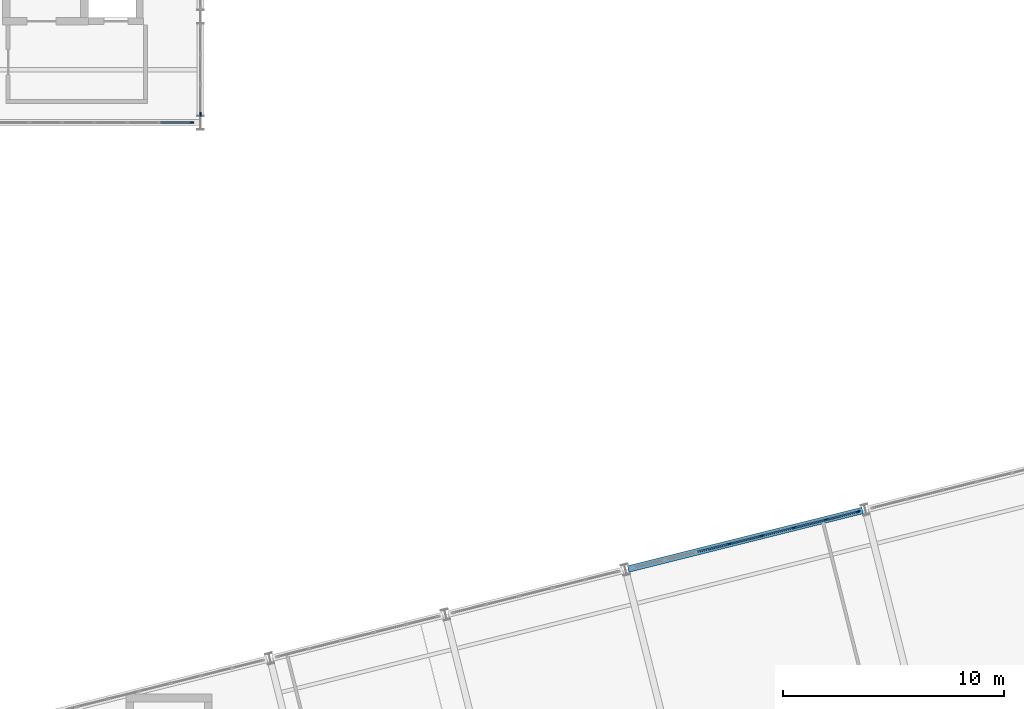
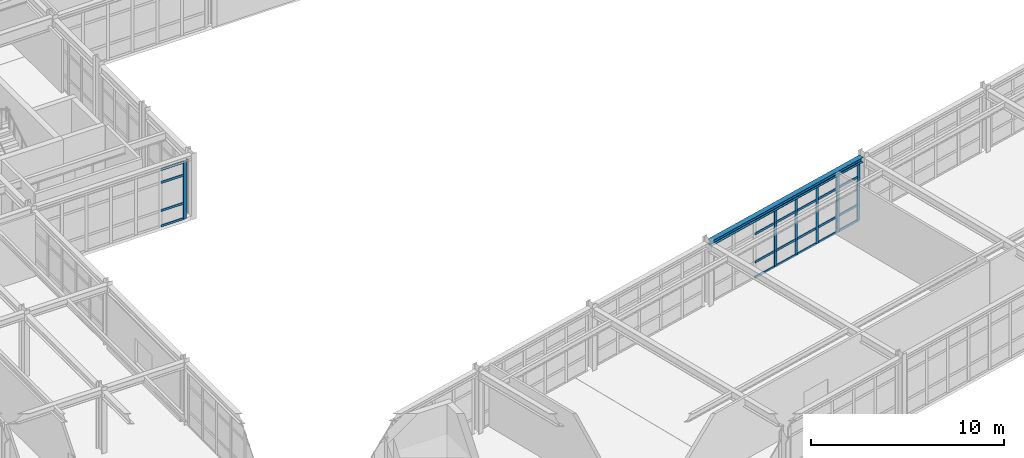
# One storey, part 40 of 99: 31 members, 1 beam, 3 elements without a shape of their own.
"""IFC4 building model written with IfcOpenShell, lengths in metres."""

from ifc_helpers import new_model, si_unit, direction, frame, origin, origin_2d, place, context, subcontext, project, spatial, rectangle, i_section, extrude, material, layer, layer_set, material_profile, profile_set, type_object, element, aggregate, save


model = new_model("IFC4")

# Units and contexts
model_context = context("Model", 3, precision=1e-05, world=origin(), true_north=direction((0.0, 1.0)))
body_context = subcontext(model_context, "Body", "Model", "MODEL_VIEW")
ifc_project = project(units=[si_unit("LENGTHUNIT", "METRE"), si_unit("AREAUNIT", "SQUARE_METRE"), si_unit("VOLUMEUNIT", "CUBIC_METRE"), si_unit("PLANEANGLEUNIT", "RADIAN"), si_unit("MASSUNIT", "GRAM", prefix="KILO")], contexts=[model_context])

# Site, building, storey
site_placement = place(None, origin())
site = spatial("IfcSite", under=ifc_project, at=site_placement, CompositionType="ELEMENT")
building_placement = place(site_placement, origin())
building = spatial("IfcBuilding", under=site, at=building_placement, Name="Nordkorset Police Headquarters", CompositionType="ELEMENT")
storey_placement = place(building_placement, frame((0.0, 0.0, 5.25)))
storey = spatial("IfcBuildingStorey", under=building, at=storey_placement, Name="L01", CompositionType="ELEMENT", Elevation=5.25)

# Curtain wall, member
ifc_material_1 = material(Name="Aluminium alloy AW-6060", Category="aluminium")
ifc_layer_1 = layer(ifc_material_1, 0.179931640625, Name="Aluminium alloy AW-6060")
ifc_layer_set_1 = layer_set([ifc_layer_1], Name="Aluminium alloy AW-6060")
curtain_wall_type_1 = type_object("IfcCurtainWallType", Name="CW_Unit_408x340", PredefinedType="USERDEFINED", material=ifc_layer_set_1)
curtain_wall_1_placement = place(storey_placement, origin())
curtain_wall_1 = element("IfcCurtainWall", 1, at=curtain_wall_1_placement, inside=storey, type_object=curtain_wall_type_1, Name="Unitised Curtain Wall L01 V1E-0", ObjectType="UNITISED CURTAIN WALL", PredefinedType="USERDEFINED")
ifc_material_2 = material(Name="Aluminium alloy AW-6060", Category="aluminium")
ifc_material_profile_1 = material_profile(ifc_material_2, rectangle(XDim=0.06494140625, YDim=0.179931640625, at=origin_2d()), Name="ALU MULL 65x180")
ifc_profile_set_1 = profile_set([ifc_material_profile_1], Name="Aluminium alloy AW-6060")
member_type_1 = type_object("IfcMemberType", Name="CW_Mullion_65x180", PredefinedType="MULLION", material=ifc_profile_set_1)
member_1_placement = place(storey_placement, frame((28.800048828125, 83.592529296875, 0.0), z_axis=(0.0, 0.0, 1.0), x_axis=(-1.0, 0.0, 0.0)))
member_1 = element("IfcMember", 2, at=member_1_placement, type_object=member_type_1, Name="CW-75 mullion 1", PredefinedType="MULLION", context=body_context, shape_type="SweptSolid", body=[
    extrude(rectangle(XDim=0.06494140625, YDim=0.179931640625, at=origin_2d()), origin(), (0.0, 0.0, 1.0), 3.39990234375),
])
aggregate(curtain_wall_1, [member_1])

ifc_material_3 = material(Name="Aluminium alloy AW-6060", Category="aluminium")
ifc_layer_2 = layer(ifc_material_3, 0.179931640625, Name="Aluminium alloy AW-6060")
ifc_layer_set_2 = layer_set([ifc_layer_2], Name="Aluminium alloy AW-6060")
curtain_wall_type_2 = type_object("IfcCurtainWallType", Name="CW_Unit_888x363", PredefinedType="USERDEFINED", material=ifc_layer_set_2)
curtain_wall_2_placement = place(storey_placement, origin())
curtain_wall_2 = element("IfcCurtainWall", 3, at=curtain_wall_2_placement, inside=storey, type_object=curtain_wall_type_2, Name="Unitised Curtain Wall L01 V1S-2", ObjectType="UNITISED CURTAIN WALL", PredefinedType="USERDEFINED")
member_2_placement = place(storey_placement, frame((28.407470703125, 83.199951171875, 0.0), z_axis=(0.0, 0.0, 1.0), x_axis=(0.0, 1.0, 0.0)))
member_2 = element("IfcMember", 4, at=member_2_placement, type_object=member_type_1, Name="CW-07 mullion 7", PredefinedType="MULLION", context=body_context, shape_type="SweptSolid", body=[
    extrude(rectangle(XDim=0.06494140625, YDim=0.179931640625, at=origin_2d()), origin(), (0.0, 0.0, 1.0), 3.6298828125),
])

# Curtain wall, members
ifc_material_4 = material(Name="Aluminium alloy AW-6060", Category="aluminium")
ifc_layer_3 = layer(ifc_material_4, 0.179931640625, Name="Aluminium alloy AW-6060")
ifc_layer_set_3 = layer_set([ifc_layer_3], Name="Aluminium alloy AW-6060")
curtain_wall_type_3 = type_object("IfcCurtainWallType", Name="CW_Unit_1056x363", PredefinedType="USERDEFINED", material=ifc_layer_set_3)
curtain_wall_3_placement = place(storey_placement, origin())
curtain_wall_3 = element("IfcCurtainWall", 5, at=curtain_wall_3_placement, inside=storey, type_object=curtain_wall_type_3, Name="Unitised Curtain Wall L01 V4N-3", ObjectType="UNITISED CURTAIN WALL", PredefinedType="USERDEFINED")
member_3_placement = place(storey_placement, frame((52.74853515625, 64.13037109375, 0.0), z_axis=(0.0, 0.0, 1.0), x_axis=(-0.242536070676, 0.970142388735, 0.0)))
member_3 = element("IfcMember", 6, at=member_3_placement, type_object=member_type_1, Name="CW-96 mullion 4", PredefinedType="MULLION", context=body_context, shape_type="SweptSolid", body=[
    extrude(rectangle(XDim=0.06494140625, YDim=0.179931640625, at=origin_2d()), origin(), (0.0, 0.0, 1.0), 3.6298828125),
])
member_4_placement = place(storey_placement, frame((54.212158203125, 64.496337890625, 0.0), z_axis=(0.0, 0.0, 1.0), x_axis=(-0.242536070676, 0.970142388735, 0.0)))
member_4 = element("IfcMember", 7, at=member_4_placement, type_object=member_type_1, Name="CW-96 mullion 5", PredefinedType="MULLION", context=body_context, shape_type="SweptSolid", body=[
    extrude(rectangle(XDim=0.06494140625, YDim=0.179931640625, at=origin_2d()), origin(), (0.0, 0.0, 1.0), 3.6298828125),
])
member_5_placement = place(storey_placement, frame((55.67578125, 64.862060546875, 0.0), z_axis=(0.0, 0.0, 1.0), x_axis=(-0.242536070676, 0.970142388735, 0.0)))
member_5 = element("IfcMember", 8, at=member_5_placement, type_object=member_type_1, Name="CW-96 mullion 6", PredefinedType="MULLION", context=body_context, shape_type="SweptSolid", body=[
    extrude(rectangle(XDim=0.06494140625, YDim=0.179931640625, at=origin_2d()), origin(), (0.0, 0.0, 1.0), 3.6298828125),
])
member_6_placement = place(storey_placement, frame((57.13916015625, 65.22802734375, 0.0), z_axis=(0.0, 0.0, 1.0), x_axis=(-0.242536070676, 0.970142388735, 0.0)))
member_6 = element("IfcMember", 9, at=member_6_placement, type_object=member_type_1, Name="CW-96 mullion 7", PredefinedType="MULLION", context=body_context, shape_type="SweptSolid", body=[
    extrude(rectangle(XDim=0.06494140625, YDim=0.179931640625, at=origin_2d()), origin(), (0.0, 0.0, 1.0), 3.6298828125),
])
member_7_placement = place(storey_placement, frame((58.5712890625, 65.5859375, 0.0), z_axis=(0.0, 0.0, 1.0), x_axis=(-0.242536070676, 0.970142388735, 0.0)))
member_7 = element("IfcMember", 10, at=member_7_placement, type_object=member_type_1, Name="CW-96 mullion 8", PredefinedType="MULLION", context=body_context, shape_type="SweptSolid", body=[
    extrude(rectangle(XDim=0.06494140625, YDim=0.179931640625, at=origin_2d()), origin(), (0.0, 0.0, 1.0), 3.6298828125),
])

# Member
ifc_material_5 = material(Name="Aluminium alloy AW-6060", Category="aluminium")
ifc_material_profile_2 = material_profile(ifc_material_5, rectangle(XDim=0.06494140625, YDim=0.139892578125, at=origin_2d()), Name="ALU TRAN 65x140")
ifc_profile_set_2 = profile_set([ifc_material_profile_2], Name="Aluminium alloy AW-6060")
member_type_2 = type_object("IfcMemberType", Name="CW_Transom_65x140", PredefinedType="USERDEFINED", material=ifc_profile_set_2)
member_8_placement = place(storey_placement, frame((26.992431640625, 83.199951171875, 0.032470703125), z_axis=(1.0, 0.0, 0.0), x_axis=(0.0, 1.0, 0.0)))
member_8 = element("IfcMember", 11, at=member_8_placement, type_object=member_type_2, Name="CW-07 transom 6.1", ObjectType="TRANSOM", PredefinedType="USERDEFINED", context=body_context, shape_type="SweptSolid", body=[
    extrude(rectangle(XDim=0.06494140625, YDim=0.139892578125, at=origin_2d()), origin(), (0.0, 0.0, 1.0), 1.382568359375),
])

member_9_placement = place(storey_placement, frame((26.992431640625, 83.199951171875, 1.0), z_axis=(1.0, 0.0, 0.0), x_axis=(0.0, 1.0, 0.0)))
member_9 = element("IfcMember", 12, at=member_9_placement, type_object=member_type_2, Name="CW-07 transom 6.2", ObjectType="TRANSOM", PredefinedType="USERDEFINED", context=body_context, shape_type="SweptSolid", body=[
    extrude(rectangle(XDim=0.06494140625, YDim=0.139892578125, at=origin_2d()), origin(), (0.0, 0.0, 1.0), 1.382568359375),
])

member_10_placement = place(storey_placement, frame((26.992431640625, 83.199951171875, 2.780029296875), z_axis=(1.0, 0.0, 0.0), x_axis=(0.0, 1.0, 0.0)))
member_10 = element("IfcMember", 13, at=member_10_placement, type_object=member_type_2, Name="CW-07 transom 6.3", ObjectType="TRANSOM", PredefinedType="USERDEFINED", context=body_context, shape_type="SweptSolid", body=[
    extrude(rectangle(XDim=0.06494140625, YDim=0.139892578125, at=origin_2d()), origin(), (0.0, 0.0, 1.0), 1.382568359375),
])

member_11_placement = place(storey_placement, frame((26.992431640625, 83.199951171875, 3.597412109375), z_axis=(1.0, 0.0, 0.0), x_axis=(0.0, 1.0, 0.0)))
member_11 = element("IfcMember", 14, at=member_11_placement, type_object=member_type_2, Name="CW-07 transom 6.4", ObjectType="TRANSOM", PredefinedType="USERDEFINED", context=body_context, shape_type="SweptSolid", body=[
    extrude(rectangle(XDim=0.06494140625, YDim=0.139892578125, at=origin_2d()), origin(), (0.0, 0.0, 1.0), 1.382568359375),
])

aggregate(curtain_wall_2, [member_2, member_8, member_9, member_10, member_11])

member_12_placement = place(storey_placement, frame((51.316650390625, 63.772216796875, 0.032470703125), z_axis=(0.9701026929, 0.24269479852, 0.0), x_axis=(-0.24269479852, 0.9701026929, 0.0)))
member_12 = element("IfcMember", 15, at=member_12_placement, type_object=member_type_2, Name="CW-96 transom 3.1", ObjectType="TRANSOM", PredefinedType="USERDEFINED", context=body_context, shape_type="SweptSolid", body=[
    extrude(rectangle(XDim=0.06494140625, YDim=0.139892578125, at=origin_2d()), origin(), (0.0, 0.0, 1.0), 1.443603515625),
])

member_13_placement = place(storey_placement, frame((51.316650390625, 63.772216796875, 1.0), z_axis=(0.9701026929, 0.24269479852, 0.0), x_axis=(-0.24269479852, 0.9701026929, 0.0)))
member_13 = element("IfcMember", 16, at=member_13_placement, type_object=member_type_2, Name="CW-96 transom 3.2", ObjectType="TRANSOM", PredefinedType="USERDEFINED", context=body_context, shape_type="SweptSolid", body=[
    extrude(rectangle(XDim=0.06494140625, YDim=0.139892578125, at=origin_2d()), origin(), (0.0, 0.0, 1.0), 1.443603515625),
])

member_14_placement = place(storey_placement, frame((51.316650390625, 63.772216796875, 2.780029296875), z_axis=(0.9701026929, 0.24269479852, 0.0), x_axis=(-0.24269479852, 0.9701026929, 0.0)))
member_14 = element("IfcMember", 17, at=member_14_placement, type_object=member_type_2, Name="CW-96 transom 3.3", ObjectType="TRANSOM", PredefinedType="USERDEFINED", context=body_context, shape_type="SweptSolid", body=[
    extrude(rectangle(XDim=0.06494140625, YDim=0.139892578125, at=origin_2d()), origin(), (0.0, 0.0, 1.0), 1.443603515625),
])

member_15_placement = place(storey_placement, frame((51.316650390625, 63.772216796875, 3.597412109375), z_axis=(0.9701026929, 0.24269479852, 0.0), x_axis=(-0.24269479852, 0.9701026929, 0.0)))
member_15 = element("IfcMember", 18, at=member_15_placement, type_object=member_type_2, Name="CW-96 transom 3.4", ObjectType="TRANSOM", PredefinedType="USERDEFINED", context=body_context, shape_type="SweptSolid", body=[
    extrude(rectangle(XDim=0.06494140625, YDim=0.139892578125, at=origin_2d()), origin(), (0.0, 0.0, 1.0), 1.443603515625),
])

member_16_placement = place(storey_placement, frame((52.7802734375, 64.13818359375, 0.032470703125), z_axis=(0.970142500145, 0.242535625036, 0.0), x_axis=(-0.242535625036, 0.970142500145, 0.0)))
member_16 = element("IfcMember", 19, at=member_16_placement, type_object=member_type_2, Name="CW-96 transom 4.1", ObjectType="TRANSOM", PredefinedType="USERDEFINED", context=body_context, shape_type="SweptSolid", body=[
    extrude(rectangle(XDim=0.06494140625, YDim=0.139892578125, at=origin_2d()), origin(), (0.0, 0.0, 1.0), 1.443603515625),
])

member_17_placement = place(storey_placement, frame((52.7802734375, 64.13818359375, 1.0), z_axis=(0.970142500145, 0.242535625036, 0.0), x_axis=(-0.242535625036, 0.970142500145, 0.0)))
member_17 = element("IfcMember", 20, at=member_17_placement, type_object=member_type_2, Name="CW-96 transom 4.2", ObjectType="TRANSOM", PredefinedType="USERDEFINED", context=body_context, shape_type="SweptSolid", body=[
    extrude(rectangle(XDim=0.06494140625, YDim=0.139892578125, at=origin_2d()), origin(), (0.0, 0.0, 1.0), 1.443603515625),
])

member_18_placement = place(storey_placement, frame((52.7802734375, 64.13818359375, 2.780029296875), z_axis=(0.970142500145, 0.242535625036, 0.0), x_axis=(-0.242535625036, 0.970142500145, 0.0)))
member_18 = element("IfcMember", 21, at=member_18_placement, type_object=member_type_2, Name="CW-96 transom 4.3", ObjectType="TRANSOM", PredefinedType="USERDEFINED", context=body_context, shape_type="SweptSolid", body=[
    extrude(rectangle(XDim=0.06494140625, YDim=0.139892578125, at=origin_2d()), origin(), (0.0, 0.0, 1.0), 1.443603515625),
])

member_19_placement = place(storey_placement, frame((52.7802734375, 64.13818359375, 3.597412109375), z_axis=(0.970142500145, 0.242535625036, 0.0), x_axis=(-0.242535625036, 0.970142500145, 0.0)))
member_19 = element("IfcMember", 22, at=member_19_placement, type_object=member_type_2, Name="CW-96 transom 4.4", ObjectType="TRANSOM", PredefinedType="USERDEFINED", context=body_context, shape_type="SweptSolid", body=[
    extrude(rectangle(XDim=0.06494140625, YDim=0.139892578125, at=origin_2d()), origin(), (0.0, 0.0, 1.0), 1.443603515625),
])

member_20_placement = place(storey_placement, frame((54.24365234375, 64.504150390625, 0.032470703125), z_axis=(0.970142500145, 0.242535625036, 0.0), x_axis=(-0.242535625036, 0.970142500145, 0.0)))
member_20 = element("IfcMember", 23, at=member_20_placement, type_object=member_type_2, Name="CW-96 transom 5.1", ObjectType="TRANSOM", PredefinedType="USERDEFINED", context=body_context, shape_type="SweptSolid", body=[
    extrude(rectangle(XDim=0.06494140625, YDim=0.139892578125, at=origin_2d()), origin(), (0.0, 0.0, 1.0), 1.443603515625),
])

member_21_placement = place(storey_placement, frame((54.24365234375, 64.504150390625, 1.0), z_axis=(0.970142500145, 0.242535625036, 0.0), x_axis=(-0.242535625036, 0.970142500145, 0.0)))
member_21 = element("IfcMember", 24, at=member_21_placement, type_object=member_type_2, Name="CW-96 transom 5.2", ObjectType="TRANSOM", PredefinedType="USERDEFINED", context=body_context, shape_type="SweptSolid", body=[
    extrude(rectangle(XDim=0.06494140625, YDim=0.139892578125, at=origin_2d()), origin(), (0.0, 0.0, 1.0), 1.443603515625),
])

member_22_placement = place(storey_placement, frame((54.24365234375, 64.504150390625, 2.780029296875), z_axis=(0.970142500145, 0.242535625036, 0.0), x_axis=(-0.242535625036, 0.970142500145, 0.0)))
member_22 = element("IfcMember", 25, at=member_22_placement, type_object=member_type_2, Name="CW-96 transom 5.3", ObjectType="TRANSOM", PredefinedType="USERDEFINED", context=body_context, shape_type="SweptSolid", body=[
    extrude(rectangle(XDim=0.06494140625, YDim=0.139892578125, at=origin_2d()), origin(), (0.0, 0.0, 1.0), 1.443603515625),
])

member_23_placement = place(storey_placement, frame((54.24365234375, 64.504150390625, 3.597412109375), z_axis=(0.970142500145, 0.242535625036, 0.0), x_axis=(-0.242535625036, 0.970142500145, 0.0)))
member_23 = element("IfcMember", 26, at=member_23_placement, type_object=member_type_2, Name="CW-96 transom 5.4", ObjectType="TRANSOM", PredefinedType="USERDEFINED", context=body_context, shape_type="SweptSolid", body=[
    extrude(rectangle(XDim=0.06494140625, YDim=0.139892578125, at=origin_2d()), origin(), (0.0, 0.0, 1.0), 1.443603515625),
])

member_24_placement = place(storey_placement, frame((55.707275390625, 64.869873046875, 0.032470703125), z_axis=(0.9701026929, 0.24269479852, 0.0), x_axis=(-0.24269479852, 0.9701026929, 0.0)))
member_24 = element("IfcMember", 27, at=member_24_placement, type_object=member_type_2, Name="CW-96 transom 6.1", ObjectType="TRANSOM", PredefinedType="USERDEFINED", context=body_context, shape_type="SweptSolid", body=[
    extrude(rectangle(XDim=0.06494140625, YDim=0.139892578125, at=origin_2d()), origin(), (0.0, 0.0, 1.0), 1.443603515625),
])

member_25_placement = place(storey_placement, frame((55.707275390625, 64.869873046875, 1.0), z_axis=(0.9701026929, 0.24269479852, 0.0), x_axis=(-0.24269479852, 0.9701026929, 0.0)))
member_25 = element("IfcMember", 28, at=member_25_placement, type_object=member_type_2, Name="CW-96 transom 6.2", ObjectType="TRANSOM", PredefinedType="USERDEFINED", context=body_context, shape_type="SweptSolid", body=[
    extrude(rectangle(XDim=0.06494140625, YDim=0.139892578125, at=origin_2d()), origin(), (0.0, 0.0, 1.0), 1.443603515625),
])

member_26_placement = place(storey_placement, frame((55.707275390625, 64.869873046875, 2.780029296875), z_axis=(0.9701026929, 0.24269479852, 0.0), x_axis=(-0.24269479852, 0.9701026929, 0.0)))
member_26 = element("IfcMember", 29, at=member_26_placement, type_object=member_type_2, Name="CW-96 transom 6.3", ObjectType="TRANSOM", PredefinedType="USERDEFINED", context=body_context, shape_type="SweptSolid", body=[
    extrude(rectangle(XDim=0.06494140625, YDim=0.139892578125, at=origin_2d()), origin(), (0.0, 0.0, 1.0), 1.443603515625),
])

member_27_placement = place(storey_placement, frame((55.707275390625, 64.869873046875, 3.597412109375), z_axis=(0.9701026929, 0.24269479852, 0.0), x_axis=(-0.24269479852, 0.9701026929, 0.0)))
member_27 = element("IfcMember", 30, at=member_27_placement, type_object=member_type_2, Name="CW-96 transom 6.4", ObjectType="TRANSOM", PredefinedType="USERDEFINED", context=body_context, shape_type="SweptSolid", body=[
    extrude(rectangle(XDim=0.06494140625, YDim=0.139892578125, at=origin_2d()), origin(), (0.0, 0.0, 1.0), 1.443603515625),
])

member_28_placement = place(storey_placement, frame((57.170654296875, 65.23583984375, 0.032470703125), z_axis=(0.970142500145, 0.242535625036, 0.0), x_axis=(-0.242535625036, 0.970142500145, 0.0)))
member_28 = element("IfcMember", 31, at=member_28_placement, type_object=member_type_2, Name="CW-96 transom 7.1", ObjectType="TRANSOM", PredefinedType="USERDEFINED", context=body_context, shape_type="SweptSolid", body=[
    extrude(rectangle(XDim=0.06494140625, YDim=0.139892578125, at=origin_2d()), origin(), (0.0, 0.0, 1.0), 1.411376953125),
])

member_29_placement = place(storey_placement, frame((57.170654296875, 65.23583984375, 1.0), z_axis=(0.970142500145, 0.242535625036, 0.0), x_axis=(-0.242535625036, 0.970142500145, 0.0)))
member_29 = element("IfcMember", 32, at=member_29_placement, type_object=member_type_2, Name="CW-96 transom 7.2", ObjectType="TRANSOM", PredefinedType="USERDEFINED", context=body_context, shape_type="SweptSolid", body=[
    extrude(rectangle(XDim=0.06494140625, YDim=0.139892578125, at=origin_2d()), origin(), (0.0, 0.0, 1.0), 1.411376953125),
])

member_30_placement = place(storey_placement, frame((57.170654296875, 65.23583984375, 2.780029296875), z_axis=(0.970142500145, 0.242535625036, 0.0), x_axis=(-0.242535625036, 0.970142500145, 0.0)))
member_30 = element("IfcMember", 33, at=member_30_placement, type_object=member_type_2, Name="CW-96 transom 7.3", ObjectType="TRANSOM", PredefinedType="USERDEFINED", context=body_context, shape_type="SweptSolid", body=[
    extrude(rectangle(XDim=0.06494140625, YDim=0.139892578125, at=origin_2d()), origin(), (0.0, 0.0, 1.0), 1.411376953125),
])

member_31_placement = place(storey_placement, frame((57.170654296875, 65.23583984375, 3.597412109375), z_axis=(0.970142500145, 0.242535625036, 0.0), x_axis=(-0.242535625036, 0.970142500145, 0.0)))
member_31 = element("IfcMember", 34, at=member_31_placement, type_object=member_type_2, Name="CW-96 transom 7.4", ObjectType="TRANSOM", PredefinedType="USERDEFINED", context=body_context, shape_type="SweptSolid", body=[
    extrude(rectangle(XDim=0.06494140625, YDim=0.139892578125, at=origin_2d()), origin(), (0.0, 0.0, 1.0), 1.411376953125),
])

aggregate(curtain_wall_3, [member_3, member_4, member_5, member_6, member_7, member_12, member_13, member_14, member_15, member_16, member_17, member_18, member_19, member_20, member_21, member_22, member_23, member_24, member_25, member_26, member_27, member_28, member_29, member_30, member_31])

# Beam
ifc_material_6 = material(Name="Steel S355J2", Category="steel")
ifc_material_profile_3 = material_profile(ifc_material_6, i_section(OverallWidth=0.300048828125, OverallDepth=0.31005859375, WebThickness=0.009033203125, FlangeThickness=0.015380859375, FilletRadius=0.027099609375, at=origin_2d()), Name="HEA 320")
ifc_profile_set_3 = profile_set([ifc_material_profile_3], Name="Steel S355J2")
beam_type = type_object("IfcBeamType", Name="Spandrel_HEA_320", PredefinedType="SPANDREL", material=ifc_profile_set_3)
beam_placement = place(storey_placement, frame((48.173828125, 62.986572265625, 3.804931640625), z_axis=(0.970142500145, 0.242535625036, 0.0), x_axis=(-0.242535625036, 0.970142500145, 0.0)))
element("IfcBeam", 35, at=beam_placement, inside=storey, type_object=beam_type, Name="Splayed Wing Spandrel L01 3-1", PredefinedType="SPANDREL", context=body_context, shape_type="SweptSolid", body=[
    extrude(i_section(OverallWidth=0.300048828125, OverallDepth=0.31005859375, WebThickness=0.009033203125, FlangeThickness=0.015380859375, FilletRadius=0.027099609375, at=origin_2d()), origin(), (0.0, 0.0, 1.0), 10.93994140625),
])

save(model, "model.ifc")
